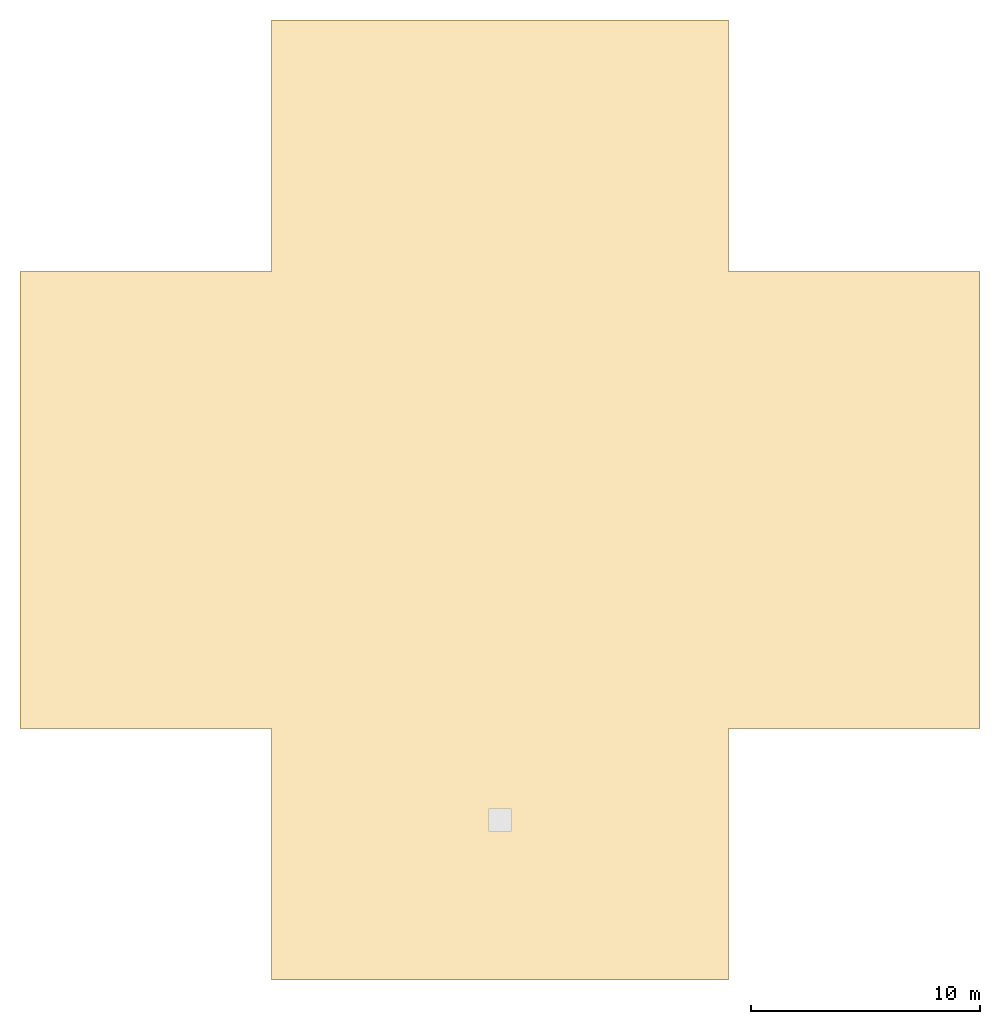
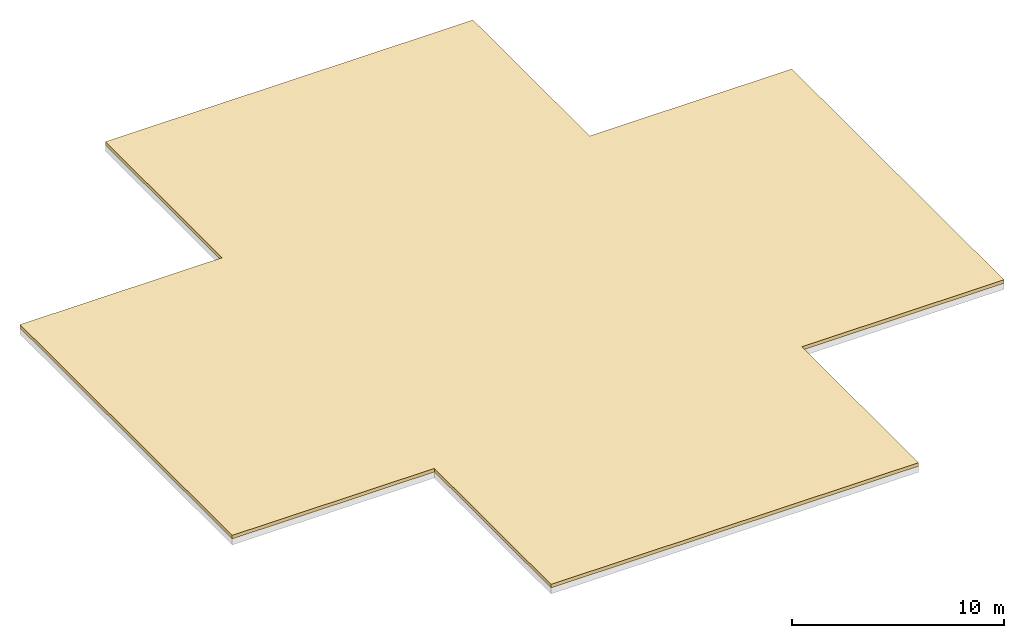
# One storey, part 2 of 2: 1 covering.
"""IFC4 building model written with IfcOpenShell, lengths in metres."""

import ifcopenshell
import ifcopenshell.guid

model = None  # the IFC model being written
_history = None  # IfcOwnerHistory: only IFC2X3 demands one
_inside = {}  # id of a spatial element -> (the spatial element, [elements in it])
_under = {}  # id of a project, library or spatial element -> (it, [spatial elements below it])
_declared = {}  # id of a project -> (the project, [libraries it declares])
_typed = {}  # id of a type object -> (the type object, [elements of that type])
_made_of = {}  # id of a material, layer set ... -> (it, [elements and type objects made of it])


def new_model(schema):
    """Start an empty IFC model of exactly this schema.

    Asked for "IFC4X3", IfcOpenShell would pick the latest addendum, in which some entities
    have other attributes; the version numbers below select the first issue.
    IFC2X3 requires an IfcOwnerHistory on every rooted entity: one is made here for all.
    """
    global model, _history
    if schema == "IFC4X3":
        model = ifcopenshell.file(schema_version=(4, 3, 0, 0))
    else:
        model = ifcopenshell.file(schema=schema)
    _inside.clear()
    _under.clear()
    _declared.clear()
    _typed.clear()
    _made_of.clear()
    _history = None
    if model.schema == "IFC2X3":
        org = make("IfcOrganization", Name="unknown")
        user = make(
            "IfcPersonAndOrganization",
            ThePerson=make("IfcPerson", FamilyName="unknown"),
            TheOrganization=org,
        )
        app = make(
            "IfcApplication",
            ApplicationDeveloper=org,
            Version="unknown",
            ApplicationFullName="unknown",
            ApplicationIdentifier="unknown",
        )
        _history = make(
            "IfcOwnerHistory",
            OwningUser=user,
            OwningApplication=app,
            ChangeAction="ADDED",
            CreationDate=0,
        )
    return model


def make(cls, **values):
    """One entity of the class cls with the attributes given. An attribute that is None is left unset."""
    return model.create_entity(
        cls, **{name: value for name, value in values.items() if value is not None}
    )


def rooted(cls, **values):
    """An entity with a GlobalId (a new one), such as an element, a storey or a relation."""
    return make(cls, GlobalId=ifcopenshell.guid.new(), OwnerHistory=_history, **values)


def si_unit(unit_type, name, prefix=None):
    """IfcSIUnit, for example si_unit("LENGTHUNIT", "METRE", prefix="MILLI")."""
    return make("IfcSIUnit", UnitType=unit_type, Prefix=prefix, Name=name)


def assignment(units):
    """IfcUnitAssignment: the units of a project."""
    return None if units is None else make("IfcUnitAssignment", Units=units)


def point(xyz):
    """IfcCartesianPoint."""
    return None if xyz is None else make("IfcCartesianPoint", Coordinates=xyz)


def direction(xyz):
    """IfcDirection."""
    return None if xyz is None else make("IfcDirection", DirectionRatios=xyz)


def frame(location, z_axis=None, x_axis=None):
    """IfcAxis2Placement3D, a coordinate frame: its origin and axes. An axis left out is left unset."""
    return make(
        "IfcAxis2Placement3D",
        Location=point(location),
        Axis=direction(z_axis),
        RefDirection=direction(x_axis),
    )


def origin():
    """The frame at (0, 0, 0) with its axes left unset."""
    return frame((0.0, 0.0, 0.0))


def place(relative_to, where):
    """IfcLocalPlacement: puts the frame where relative to a parent placement (None: the world)."""
    return make(
        "IfcLocalPlacement", PlacementRelTo=relative_to, RelativePlacement=where
    )


def context(
    kind, dimensions, precision=None, world=None, true_north=None, identifier=None
):
    """IfcGeometricRepresentationContext, for example the 3D "Model" context."""
    return make(
        "IfcGeometricRepresentationContext",
        ContextIdentifier=identifier,
        ContextType=kind,
        CoordinateSpaceDimension=dimensions,
        Precision=precision,
        WorldCoordinateSystem=world,
        TrueNorth=true_north,
    )


def subcontext(parent, identifier, kind, view, scale=None):
    """IfcGeometricRepresentationSubContext, for example "Body" below "Model"."""
    return make(
        "IfcGeometricRepresentationSubContext",
        ContextIdentifier=identifier,
        ContextType=kind,
        ParentContext=parent,
        TargetScale=scale,
        TargetView=view,
    )


def project(units=None, contexts=None):
    """IfcProject with its units and contexts."""
    return rooted(
        "IfcProject",
        Name="project",
        RepresentationContexts=contexts,
        UnitsInContext=assignment(units),
    )


def spatial(cls, under=None, at=None, **own):
    """A site, building, storey or space (cls), placed at a placement, below another one or the project."""
    s = rooted(cls, ObjectPlacement=at, **own)
    if under is not None:
        _under.setdefault(under.id(), (under, []))[1].append(s)
    return s


def polyline(points):
    """IfcPolyline through the points."""
    return make("IfcPolyline", Points=[point(p) for p in points])


def outline(outer, holes=None, kind="AREA"):
    """IfcArbitraryClosedProfileDef: a profile drawn as a closed curve; with holes, ...WithVoids."""
    if holes is None:
        return make("IfcArbitraryClosedProfileDef", ProfileType=kind, OuterCurve=outer)
    return make(
        "IfcArbitraryProfileDefWithVoids",
        ProfileType=kind,
        OuterCurve=outer,
        InnerCurves=holes,
    )


def extrude(swept, where, along, depth):
    """IfcExtrudedAreaSolid: the profile swept, set in the frame where, extruded along a direction by depth."""
    return make(
        "IfcExtrudedAreaSolid",
        SweptArea=swept,
        Position=where,
        ExtrudedDirection=direction(along),
        Depth=depth,
    )


def shape(context_of_items, identifier, shape_type, items):
    """IfcShapeRepresentation: the items that make up one representation, for example the "Body"."""
    return make(
        "IfcShapeRepresentation",
        ContextOfItems=context_of_items,
        RepresentationIdentifier=identifier,
        RepresentationType=shape_type,
        Items=items,
    )


def material(Name=None, Category=None):
    """IfcMaterial."""
    return make("IfcMaterial", Name=Name, Category=Category)


def layer(
    of_material, thickness, ventilated=None, Name=None, Category=None, Priority=None
):
    """IfcMaterialLayer: one layer of a wall or slab, of a material (None: an air gap)."""
    return make(
        "IfcMaterialLayer",
        Material=of_material,
        LayerThickness=thickness,
        IsVentilated=ventilated,
        Name=Name,
        Category=Category,
        Priority=Priority,
    )


def layer_set(layers, Name=None):
    """IfcMaterialLayerSet."""
    return make("IfcMaterialLayerSet", MaterialLayers=layers, LayerSetName=Name)


def made_of(thing, what):
    """Note that an element or type object is made of a material, layer set ...; save() writes the relation."""
    if what is not None:
        _made_of.setdefault(what.id(), (what, []))[1].append(thing)
    return thing


def type_object(cls, material=None, **own):
    """A type object (cls), such as IfcWallType, which elements share."""
    return made_of(rooted(cls, **own), material)


def element(
    cls,
    number,
    at=None,
    inside=None,
    cuts=None,
    type_object=None,
    material=None,
    context=None,
    identifier="Body",
    shape_type=None,
    held_by="IfcProductDefinitionShape",
    body=None,
    shapes=None,
    **own,
):
    """One element of the class cls, such as IfcWall. Its Tag is "e" and its number.

    at: its placement. inside: the storey or other place that contains it. cuts: it is an
    opening in that element (IfcRelVoidsElement). A single representation is given by context,
    identifier, shape_type and body (its items); several are given by shapes. held_by: the class
    of the entity that holds the representations. save() writes the other relations.
    """
    e = rooted(cls, Tag="e%d" % number, ObjectPlacement=at, **own)
    if body is not None:
        shapes = [shape(context, identifier, shape_type, body)]
    if shapes is not None:
        e.Representation = make(held_by, Representations=shapes)
    if inside is not None:
        _inside.setdefault(inside.id(), (inside, []))[1].append(e)
    if cuts is not None:
        rooted(
            "IfcRelVoidsElement", RelatingBuildingElement=cuts, RelatedOpeningElement=e
        )
    if type_object is not None:
        _typed.setdefault(type_object.id(), (type_object, []))[1].append(e)
    return made_of(e, material)


def aggregate(whole, parts):
    """IfcRelAggregates: a whole, such as a stair, and the parts it consists of."""
    return rooted("IfcRelAggregates", RelatingObject=whole, RelatedObjects=parts)


def save(model, path):
    """Write the relations noted so far, then the file.

    IfcRelAggregates (storeys below a building ...), IfcRelContainedInSpatialStructure (elements
    in a storey), IfcRelDefinesByType, IfcRelAssociatesMaterial and IfcRelDeclares: one each for
    every whole, place, type object, material and project.
    """
    for whole, parts in _under.values():
        aggregate(whole, parts)
    for where, things in _inside.values():
        rooted(
            "IfcRelContainedInSpatialStructure",
            RelatedElements=things,
            RelatingStructure=where,
        )
    for kind, things in _typed.values():
        rooted("IfcRelDefinesByType", RelatedObjects=things, RelatingType=kind)
    for what, things in _made_of.values():
        rooted("IfcRelAssociatesMaterial", RelatedObjects=things, RelatingMaterial=what)
    for by, libraries in _declared.values():
        rooted("IfcRelDeclares", RelatingContext=by, RelatedDefinitions=libraries)
    model.write(path)


model = new_model("IFC4")

# Units and contexts
model_context = context("Model", 3, precision=1e-05, world=origin(), true_north=direction((0.0, 1.0)))
body_context = subcontext(model_context, "Body", "Model", "MODEL_VIEW")
ifc_project = project(units=[si_unit("LENGTHUNIT", "METRE"), si_unit("AREAUNIT", "SQUARE_METRE"), si_unit("VOLUMEUNIT", "CUBIC_METRE"), si_unit("PLANEANGLEUNIT", "RADIAN"), si_unit("MASSUNIT", "GRAM", prefix="KILO")], contexts=[model_context])

# Site, building, storey
site_placement = place(None, origin())
site = spatial("IfcSite", under=ifc_project, at=site_placement, CompositionType="ELEMENT")
building_placement = place(site_placement, origin())
building = spatial("IfcBuilding", under=site, at=building_placement, Name="Svetlomir Tower", CompositionType="ELEMENT")
storey_placement = place(building_placement, frame((0.0, 0.0, 289.550048828125)))
storey = spatial("IfcBuildingStorey", under=building, at=storey_placement, Name="ROOF", CompositionType="ELEMENT", Elevation=289.550048828125)

# Covering
ifc_material = material(Name="Inverted roof insulation and membrane", Category="insulation")
ifc_layer = layer(ifc_material, 0.199951171875)
ifc_layer_set = layer_set([ifc_layer], Name="Inverted roof insulation and membrane")
covering_type = type_object("IfcCoveringType", Name="ROOF MEMBRANE AND INSULATION 200", PredefinedType="ROOFING", material=ifc_layer_set)
covering_placement = place(storey_placement, frame((0.0, 0.0, 0.349853515625)))
element("IfcCovering", 1, at=covering_placement, inside=storey, type_object=covering_type, Name="Roofing Crown roof slab", PredefinedType="ROOFING", context=body_context, shape_type="SweptSolid", body=[
    extrude(outline(polyline([(11.0, 0.0), (31.0, 0.0), (31.0, 11.0), (42.0, 11.0), (42.0, 31.0), (31.0, 31.0), (31.0, 42.0), (11.0, 42.0), (11.0, 31.0), (0.0, 31.0), (0.0, 11.0), (11.0, 11.0), (11.0, 0.0)])), origin(), (0.0, 0.0, 1.0), 0.2001953125),
])

save(model, "model.ifc")
